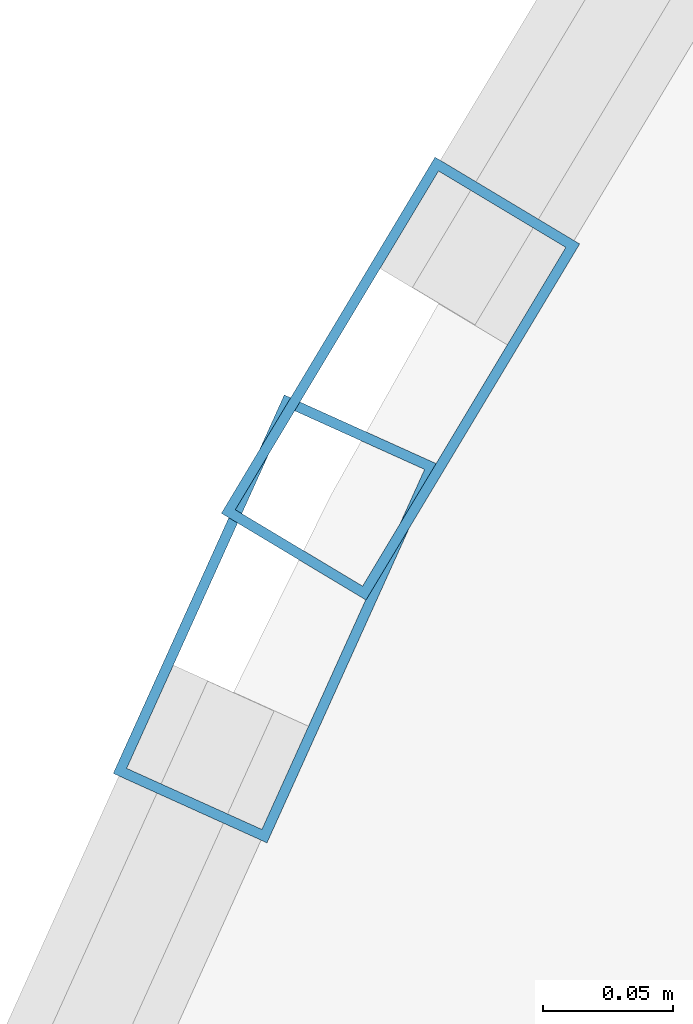
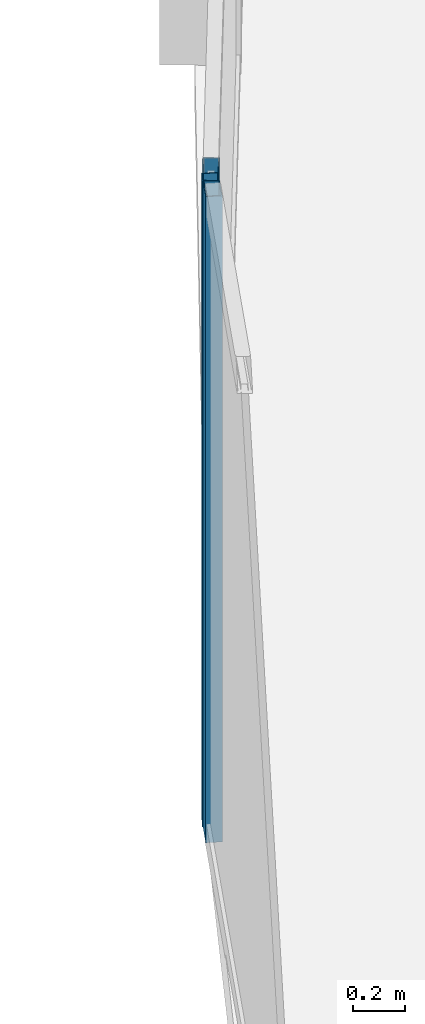
# One storey, part 11 of 34: 2 members, 2 elements without a shape of their own.
"""IFC4 building model written with IfcOpenShell, lengths in metres."""

import ifcopenshell
import ifcopenshell.guid

model = None  # the IFC model being written
_history = None  # IfcOwnerHistory: only IFC2X3 demands one
_inside = {}  # id of a spatial element -> (the spatial element, [elements in it])
_under = {}  # id of a project, library or spatial element -> (it, [spatial elements below it])
_declared = {}  # id of a project -> (the project, [libraries it declares])
_typed = {}  # id of a type object -> (the type object, [elements of that type])
_made_of = {}  # id of a material, layer set ... -> (it, [elements and type objects made of it])


def new_model(schema):
    """Start an empty IFC model of exactly this schema.

    Asked for "IFC4X3", IfcOpenShell would pick the latest addendum, in which some entities
    have other attributes; the version numbers below select the first issue.
    IFC2X3 requires an IfcOwnerHistory on every rooted entity: one is made here for all.
    """
    global model, _history
    if schema == "IFC4X3":
        model = ifcopenshell.file(schema_version=(4, 3, 0, 0))
    else:
        model = ifcopenshell.file(schema=schema)
    _inside.clear()
    _under.clear()
    _declared.clear()
    _typed.clear()
    _made_of.clear()
    _history = None
    if model.schema == "IFC2X3":
        org = make("IfcOrganization", Name="unknown")
        user = make(
            "IfcPersonAndOrganization",
            ThePerson=make("IfcPerson", FamilyName="unknown"),
            TheOrganization=org,
        )
        app = make(
            "IfcApplication",
            ApplicationDeveloper=org,
            Version="unknown",
            ApplicationFullName="unknown",
            ApplicationIdentifier="unknown",
        )
        _history = make(
            "IfcOwnerHistory",
            OwningUser=user,
            OwningApplication=app,
            ChangeAction="ADDED",
            CreationDate=0,
        )
    return model


def make(cls, **values):
    """One entity of the class cls with the attributes given. An attribute that is None is left unset."""
    return model.create_entity(
        cls, **{name: value for name, value in values.items() if value is not None}
    )


def rooted(cls, **values):
    """An entity with a GlobalId (a new one), such as an element, a storey or a relation."""
    return make(cls, GlobalId=ifcopenshell.guid.new(), OwnerHistory=_history, **values)


def si_unit(unit_type, name, prefix=None):
    """IfcSIUnit, for example si_unit("LENGTHUNIT", "METRE", prefix="MILLI")."""
    return make("IfcSIUnit", UnitType=unit_type, Prefix=prefix, Name=name)


def assignment(units):
    """IfcUnitAssignment: the units of a project."""
    return None if units is None else make("IfcUnitAssignment", Units=units)


def point(xyz):
    """IfcCartesianPoint."""
    return None if xyz is None else make("IfcCartesianPoint", Coordinates=xyz)


def direction(xyz):
    """IfcDirection."""
    return None if xyz is None else make("IfcDirection", DirectionRatios=xyz)


def frame(location, z_axis=None, x_axis=None):
    """IfcAxis2Placement3D, a coordinate frame: its origin and axes. An axis left out is left unset."""
    return make(
        "IfcAxis2Placement3D",
        Location=point(location),
        Axis=direction(z_axis),
        RefDirection=direction(x_axis),
    )


def frame_2d(location, x_axis=None):
    """IfcAxis2Placement2D, a coordinate frame in the plane: its origin and x axis."""
    return make(
        "IfcAxis2Placement2D", Location=point(location), RefDirection=direction(x_axis)
    )


def origin():
    """The frame at (0, 0, 0) with its axes left unset."""
    return frame((0.0, 0.0, 0.0))


def origin_2d():
    """The frame at (0, 0) in the plane with its x axis left unset."""
    return frame_2d((0.0, 0.0))


def place(relative_to, where):
    """IfcLocalPlacement: puts the frame where relative to a parent placement (None: the world)."""
    return make(
        "IfcLocalPlacement", PlacementRelTo=relative_to, RelativePlacement=where
    )


def context(
    kind, dimensions, precision=None, world=None, true_north=None, identifier=None
):
    """IfcGeometricRepresentationContext, for example the 3D "Model" context."""
    return make(
        "IfcGeometricRepresentationContext",
        ContextIdentifier=identifier,
        ContextType=kind,
        CoordinateSpaceDimension=dimensions,
        Precision=precision,
        WorldCoordinateSystem=world,
        TrueNorth=true_north,
    )


def subcontext(parent, identifier, kind, view, scale=None):
    """IfcGeometricRepresentationSubContext, for example "Body" below "Model"."""
    return make(
        "IfcGeometricRepresentationSubContext",
        ContextIdentifier=identifier,
        ContextType=kind,
        ParentContext=parent,
        TargetScale=scale,
        TargetView=view,
    )


def project(units=None, contexts=None):
    """IfcProject with its units and contexts."""
    return rooted(
        "IfcProject",
        Name="project",
        RepresentationContexts=contexts,
        UnitsInContext=assignment(units),
    )


def spatial(cls, under=None, at=None, **own):
    """A site, building, storey or space (cls), placed at a placement, below another one or the project."""
    s = rooted(cls, ObjectPlacement=at, **own)
    if under is not None:
        _under.setdefault(under.id(), (under, []))[1].append(s)
    return s


def profile(cls, at=None, kind="AREA", **sizes):
    """A parametric profile (cls). Its sizes go by their IFC names, for example OverallWidth=200.0."""
    return make(cls, ProfileType=kind, Position=at, **sizes)


def hollow_rectangle(**sizes):
    """IfcRectangleHollowProfileDef."""
    return profile("IfcRectangleHollowProfileDef", **sizes)


def extrude(swept, where, along, depth):
    """IfcExtrudedAreaSolid: the profile swept, set in the frame where, extruded along a direction by depth."""
    return make(
        "IfcExtrudedAreaSolid",
        SweptArea=swept,
        Position=where,
        ExtrudedDirection=direction(along),
        Depth=depth,
    )


def shape(context_of_items, identifier, shape_type, items):
    """IfcShapeRepresentation: the items that make up one representation, for example the "Body"."""
    return make(
        "IfcShapeRepresentation",
        ContextOfItems=context_of_items,
        RepresentationIdentifier=identifier,
        RepresentationType=shape_type,
        Items=items,
    )


def material(Name=None, Category=None):
    """IfcMaterial."""
    return make("IfcMaterial", Name=Name, Category=Category)


def layer(
    of_material, thickness, ventilated=None, Name=None, Category=None, Priority=None
):
    """IfcMaterialLayer: one layer of a wall or slab, of a material (None: an air gap)."""
    return make(
        "IfcMaterialLayer",
        Material=of_material,
        LayerThickness=thickness,
        IsVentilated=ventilated,
        Name=Name,
        Category=Category,
        Priority=Priority,
    )


def layer_set(layers, Name=None):
    """IfcMaterialLayerSet."""
    return make("IfcMaterialLayerSet", MaterialLayers=layers, LayerSetName=Name)


def material_profile(
    of_material, cross_section, Name=None, Category=None, Priority=None
):
    """IfcMaterialProfile: a cross section and its material."""
    return make(
        "IfcMaterialProfile",
        Name=Name,
        Material=of_material,
        Profile=cross_section,
        Priority=Priority,
        Category=Category,
    )


def profile_set(profiles, Name=None, composite=None):
    """IfcMaterialProfileSet."""
    return make(
        "IfcMaterialProfileSet",
        Name=Name,
        MaterialProfiles=profiles,
        CompositeProfile=composite,
    )


def made_of(thing, what):
    """Note that an element or type object is made of a material, layer set ...; save() writes the relation."""
    if what is not None:
        _made_of.setdefault(what.id(), (what, []))[1].append(thing)
    return thing


def type_object(cls, material=None, **own):
    """A type object (cls), such as IfcWallType, which elements share."""
    return made_of(rooted(cls, **own), material)


def element(
    cls,
    number,
    at=None,
    inside=None,
    cuts=None,
    type_object=None,
    material=None,
    context=None,
    identifier="Body",
    shape_type=None,
    held_by="IfcProductDefinitionShape",
    body=None,
    shapes=None,
    **own,
):
    """One element of the class cls, such as IfcWall. Its Tag is "e" and its number.

    at: its placement. inside: the storey or other place that contains it. cuts: it is an
    opening in that element (IfcRelVoidsElement). A single representation is given by context,
    identifier, shape_type and body (its items); several are given by shapes. held_by: the class
    of the entity that holds the representations. save() writes the other relations.
    """
    e = rooted(cls, Tag="e%d" % number, ObjectPlacement=at, **own)
    if body is not None:
        shapes = [shape(context, identifier, shape_type, body)]
    if shapes is not None:
        e.Representation = make(held_by, Representations=shapes)
    if inside is not None:
        _inside.setdefault(inside.id(), (inside, []))[1].append(e)
    if cuts is not None:
        rooted(
            "IfcRelVoidsElement", RelatingBuildingElement=cuts, RelatedOpeningElement=e
        )
    if type_object is not None:
        _typed.setdefault(type_object.id(), (type_object, []))[1].append(e)
    return made_of(e, material)


def aggregate(whole, parts):
    """IfcRelAggregates: a whole, such as a stair, and the parts it consists of."""
    return rooted("IfcRelAggregates", RelatingObject=whole, RelatedObjects=parts)


def save(model, path):
    """Write the relations noted so far, then the file.

    IfcRelAggregates (storeys below a building ...), IfcRelContainedInSpatialStructure (elements
    in a storey), IfcRelDefinesByType, IfcRelAssociatesMaterial and IfcRelDeclares: one each for
    every whole, place, type object, material and project.
    """
    for whole, parts in _under.values():
        aggregate(whole, parts)
    for where, things in _inside.values():
        rooted(
            "IfcRelContainedInSpatialStructure",
            RelatedElements=things,
            RelatingStructure=where,
        )
    for kind, things in _typed.values():
        rooted("IfcRelDefinesByType", RelatedObjects=things, RelatingType=kind)
    for what, things in _made_of.values():
        rooted("IfcRelAssociatesMaterial", RelatedObjects=things, RelatingMaterial=what)
    for by, libraries in _declared.values():
        rooted("IfcRelDeclares", RelatingContext=by, RelatedDefinitions=libraries)
    model.write(path)


model = new_model("IFC4")

# Units and contexts
model_context = context("Model", 3, precision=1e-05, world=origin(), true_north=direction((0.0, 1.0)))
body_context = subcontext(model_context, "Body", "Model", "MODEL_VIEW")
ifc_project = project(units=[si_unit("LENGTHUNIT", "METRE"), si_unit("AREAUNIT", "SQUARE_METRE"), si_unit("VOLUMEUNIT", "CUBIC_METRE"), si_unit("PLANEANGLEUNIT", "RADIAN"), si_unit("MASSUNIT", "GRAM", prefix="KILO")], contexts=[model_context])

# Site, building, storey
site_placement = place(None, origin())
site = spatial("IfcSite", under=ifc_project, at=site_placement, CompositionType="ELEMENT")
building_placement = place(site_placement, origin())
building = spatial("IfcBuilding", under=site, at=building_placement, Name="Orvanel Arch Residences", CompositionType="ELEMENT")
storey_placement = place(building_placement, frame((0.0, 0.0, 199.699951171875)))
storey = spatial("IfcBuildingStorey", under=building, at=storey_placement, Name="L56", CompositionType="ELEMENT", Elevation=199.699951171875)

# Curtain wall, member
ifc_material = material(Name="Bronze-anodised aluminium AA6063-T6", Category="aluminium")
ifc_layer = layer(ifc_material, 0.175048828125)
ifc_layer_set = layer_set([ifc_layer], Name="Bronze-anodised aluminium AA6063-T6")
curtain_wall_type = type_object("IfcCurtainWallType", Name="CW4-HI-SYS", PredefinedType="NOTDEFINED", material=ifc_layer_set)
curtain_wall_1_placement = place(storey_placement, origin())
curtain_wall_1 = element("IfcCurtainWall", 1, at=curtain_wall_1_placement, inside=storey, type_object=curtain_wall_type, Name="L56 CW4-HI-SYS Unitised Curtain Wall", PredefinedType="NOTDEFINED")
ifc_material_profile = material_profile(ifc_material, hollow_rectangle(XDim=0.06494140625, YDim=0.159912109375, WallThickness=0.00390625, at=origin_2d()), Name="ALU160x65x4")
ifc_profile_set = profile_set([ifc_material_profile], Name="Bronze-anodised aluminium AA6063-T6")
member_type = type_object("IfcMemberType", Name="MUL-160x65", PredefinedType="MULLION", material=ifc_profile_set)
member_1_placement = place(storey_placement, frame((15.927734375, 24.428955078125, 0.0), z_axis=(0.0, 0.0, 1.0), x_axis=(0.857492925713, -0.514495755426, 0.0)))
member_1 = element("IfcMember", 2, at=member_1_placement, type_object=member_type, Name="CW-S4 mullion 3", PredefinedType="MULLION", context=body_context, shape_type="SweptSolid", body=[
    extrude(hollow_rectangle(XDim=0.06494140625, YDim=0.159912109375, WallThickness=0.00390625, at=origin_2d()), origin(), (0.0, 0.0, 1.0), 3.06005859375),
])
aggregate(curtain_wall_1, [member_1])

curtain_wall_2_placement = place(storey_placement, origin())
curtain_wall_2 = element("IfcCurtainWall", 3, at=curtain_wall_2_placement, inside=storey, type_object=curtain_wall_type, Name="L56 CW4-HI-SYS Unitised Curtain Wall", PredefinedType="NOTDEFINED")
member_2_placement = place(storey_placement, frame((15.879638671875, 24.33642578125, 0.0), z_axis=(0.0, 0.0, 1.0), x_axis=(0.911289439148, -0.41176638777, 0.0)))
member_2 = element("IfcMember", 4, at=member_2_placement, type_object=member_type, Name="CW-S4 mullion 1", PredefinedType="MULLION", context=body_context, shape_type="SweptSolid", body=[
    extrude(hollow_rectangle(XDim=0.06494140625, YDim=0.159912109375, WallThickness=0.00390625, at=origin_2d()), origin(), (0.0, 0.0, 1.0), 3.06005859375),
])
aggregate(curtain_wall_2, [member_2])

save(model, "model.ifc")
